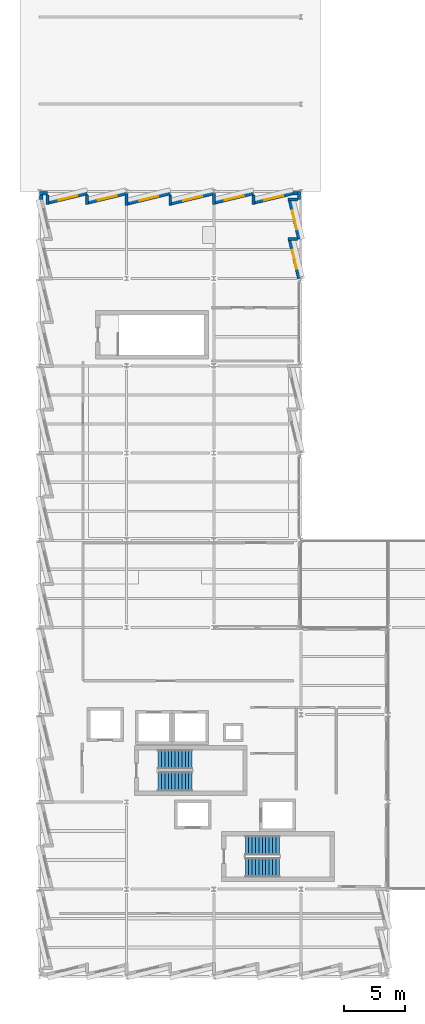
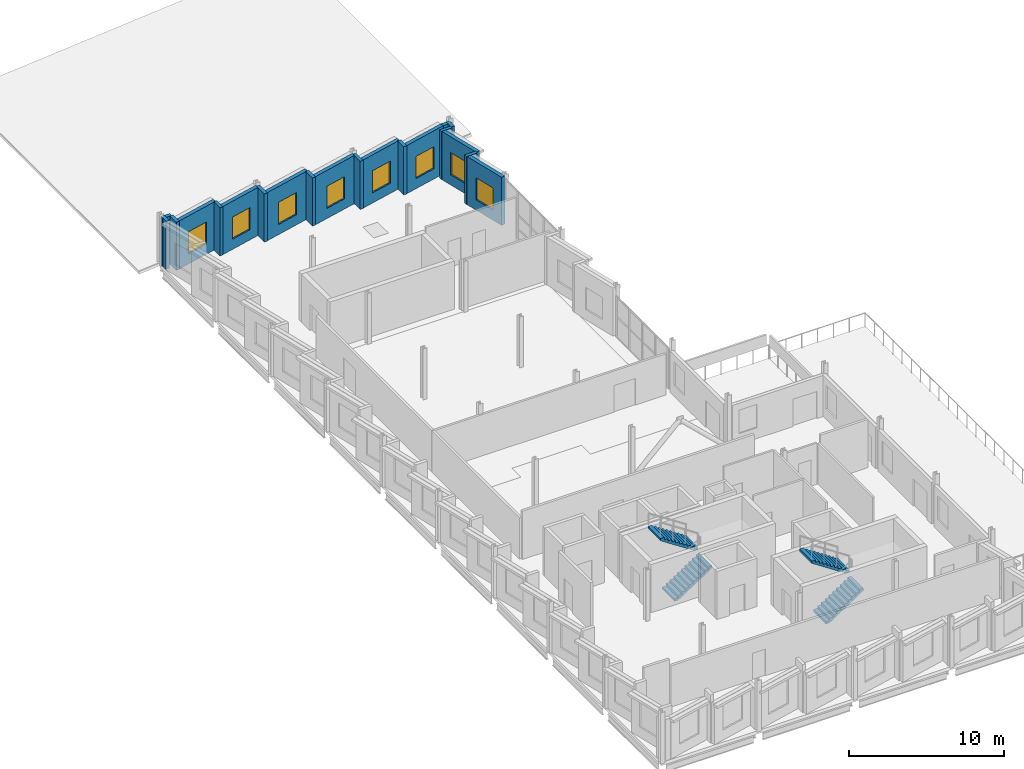
# One storey, part 16 of 18: 20 walls, 8 windows, 4 stair flights, 8 openings, 2 elements without a shape of their own.
"""IFC4 building model written with IfcOpenShell, lengths in metres."""

from ifc_helpers import new_model, si_unit, direction, frame, frame_2d, origin, place, context, subcontext, project, spatial, polyline, rectangle, outline, extrude, material, layer, layer_set, type_object, element, fill, aggregate, save


model = new_model("IFC4")

# Units and contexts
model_context = context("Model", 3, precision=1e-05, world=origin(), true_north=direction((0.0, 1.0)))
body_context = subcontext(model_context, "Body", "Model", "MODEL_VIEW")
ifc_project = project(units=[si_unit("LENGTHUNIT", "METRE"), si_unit("AREAUNIT", "SQUARE_METRE"), si_unit("VOLUMEUNIT", "CUBIC_METRE"), si_unit("PLANEANGLEUNIT", "RADIAN"), si_unit("MASSUNIT", "GRAM", prefix="KILO")], contexts=[model_context])

# Site, building, storey
site_placement = place(None, origin())
site = spatial("IfcSite", under=ifc_project, at=site_placement, CompositionType="ELEMENT")
building_placement = place(site_placement, origin())
building = spatial("IfcBuilding", under=site, at=building_placement, Name="Kalmorath City Hall", CompositionType="ELEMENT")
storey_placement = place(building_placement, frame((0.0, 0.0, 27.0)))
storey = spatial("IfcBuildingStorey", under=building, at=storey_placement, Name="L06", CompositionType="ELEMENT", Elevation=27.0)

# Walls
ifc_material_1 = material(Name="Precast concrete C40/50", Category="concrete")
ifc_layer_1 = layer(ifc_material_1, 0.239990234375)
ifc_layer_set_1 = layer_set([ifc_layer_1], Name="Precast concrete C40/50")
wall_type_1 = type_object("IfcWallType", Name="Precast sawtooth cheek wall 240", PredefinedType="SOLIDWALL", material=ifc_layer_set_1)
wall_1_placement = place(storey_placement, frame((20.51220703125, 60.860107421875, 0.0), z_axis=(0.0, 0.0, 1.0), x_axis=(1.0, 0.0, 0.0)))
element("IfcWall", 1, at=wall_1_placement, inside=storey, type_object=wall_type_1, Name="L06 sawtooth return cheek #993", PredefinedType="SOLIDWALL", context=body_context, shape_type="SweptSolid", body=[
    extrude(rectangle(XDim=0.7958984375, YDim=0.239990234375, at=frame_2d((0.39794921875, 0.0))), origin(), (0.0, 0.0, 1.0), 3.800048828125),
])
wall_2_placement = place(storey_placement, frame((20.51220703125, 64.1201171875, 0.0), z_axis=(0.0, 0.0, 1.0), x_axis=(1.0, 0.0, 0.0)))
element("IfcWall", 2, at=wall_2_placement, inside=storey, type_object=wall_type_1, Name="L06 sawtooth return cheek #995", PredefinedType="SOLIDWALL", context=body_context, shape_type="SweptSolid", body=[
    extrude(rectangle(XDim=0.805908203125, YDim=0.239990234375, at=frame_2d((0.40283203125, 0.0))), origin(), (0.0, 0.0, 1.0), 3.800048828125),
])
wall_3_placement = place(storey_placement, frame((17.659912109375, 63.71240234375, 0.0), z_axis=(0.0, 0.0, 1.0), x_axis=(0.0, 1.0, 0.0)))
element("IfcWall", 3, at=wall_3_placement, inside=storey, type_object=wall_type_1, Name="L06 sawtooth return cheek #998", PredefinedType="SOLIDWALL", context=body_context, shape_type="SweptSolid", body=[
    extrude(rectangle(XDim=0.795654296875, YDim=0.239990234375, at=frame_2d((0.39794921875, 0.0))), origin(), (0.0, 0.0, 1.0), 3.800048828125),
])
wall_4_placement = place(storey_placement, frame((14.39990234375, 63.71240234375, 0.0), z_axis=(0.0, 0.0, 1.0), x_axis=(0.0, 1.0, 0.0)))
element("IfcWall", 4, at=wall_4_placement, inside=storey, type_object=wall_type_1, Name="L06 sawtooth return cheek #1000", PredefinedType="SOLIDWALL", context=body_context, shape_type="SweptSolid", body=[
    extrude(rectangle(XDim=0.931640625, YDim=0.239990234375, at=frame_2d((0.4658203125, 0.0))), origin(), (0.0, 0.0, 1.0), 3.800048828125),
])
wall_5_placement = place(storey_placement, frame((10.800048828125, 63.630615234375, 0.0), z_axis=(0.0, 0.0, 1.0), x_axis=(0.0, 1.0, 0.0)))
element("IfcWall", 5, at=wall_5_placement, inside=storey, type_object=wall_type_1, Name="L06 sawtooth return cheek #1002", PredefinedType="SOLIDWALL", context=body_context, shape_type="SweptSolid", body=[
    extrude(rectangle(XDim=0.87744140625, YDim=0.239990234375, at=frame_2d((0.438720703125, 0.0))), origin(), (0.0, 0.0, 1.0), 3.800048828125),
])
wall_6_placement = place(storey_placement, frame((7.199951171875, 63.630615234375, 0.0), z_axis=(0.0, 0.0, 1.0), x_axis=(0.0, 1.0, 0.0)))
element("IfcWall", 6, at=wall_6_placement, inside=storey, type_object=wall_type_1, Name="L06 sawtooth return cheek #1004", PredefinedType="SOLIDWALL", context=body_context, shape_type="SweptSolid", body=[
    extrude(rectangle(XDim=1.013427734375, YDim=0.239990234375, at=frame_2d((0.5068359375, 0.0))), origin(), (0.0, 0.0, 1.0), 3.800048828125),
])
wall_7_placement = place(storey_placement, frame((3.93994140625, 63.71240234375, 0.0), z_axis=(0.0, 0.0, 1.0), x_axis=(0.0, 1.0, 0.0)))
element("IfcWall", 7, at=wall_7_placement, inside=storey, type_object=wall_type_1, Name="L06 sawtooth return cheek #1007", PredefinedType="SOLIDWALL", context=body_context, shape_type="SweptSolid", body=[
    extrude(rectangle(XDim=0.795654296875, YDim=0.239990234375, at=frame_2d((0.39794921875, 0.0))), origin(), (0.0, 0.0, 1.0), 3.800048828125),
])
wall_8_placement = place(storey_placement, frame((0.679931640625, 63.71240234375, 0.0), z_axis=(0.0, 0.0, 1.0), x_axis=(0.0, 1.0, 0.0)))
element("IfcWall", 8, at=wall_8_placement, inside=storey, type_object=wall_type_1, Name="L06 sawtooth return cheek #1009", PredefinedType="SOLIDWALL", context=body_context, shape_type="SweptSolid", body=[
    extrude(rectangle(XDim=0.8056640625, YDim=0.239990234375, at=frame_2d((0.40283203125, 0.0))), origin(), (0.0, 0.0, 1.0), 3.800048828125),
])

# Wall, opening, window
ifc_material_2 = material(Name="Precast concrete C40/50", Category="concrete")
ifc_layer_2 = layer(ifc_material_2, 0.280029296875)
ifc_layer_set_2 = layer_set([ifc_layer_2], Name="Precast concrete C40/50")
wall_type_2 = type_object("IfcWallType", Name="Precast sawtooth facade wall 280", PredefinedType="SOLIDWALL", material=ifc_layer_set_2)
wall_9_placement = place(storey_placement, frame((21.43994140625, 57.60009765625, 0.0), z_axis=(0.0, 0.0, 1.0), x_axis=(-0.233460824675, 0.972366208453, 0.0)))
wall_9 = element("IfcWall", 9, at=wall_9_placement, inside=storey, type_object=wall_type_2, Name="L06 sawtooth precast frame #992", PredefinedType="SOLIDWALL", context=body_context, shape_type="SweptSolid", body=[
    extrude(rectangle(XDim=3.257568359375, YDim=0.280029296875, at=frame_2d((1.62890625, 0.0))), origin(), (0.0, 0.0, 1.0), 3.800048828125),
])
opening_1_placement = place(wall_9_placement, frame((0.828857421875, 0.0, 0.800048828125)))
opening_1 = element("IfcOpeningElement", 10, at=opening_1_placement, cuts=wall_9, Name="Opening WN3", PredefinedType="OPENING", context=body_context, shape_type="SweptSolid", body=[
    extrude(rectangle(XDim=1.60009765625, YDim=1.75, at=frame_2d((0.800048828125, 0.875))), frame((0.0, 0.14990234375, 0.0), z_axis=(0.0, -1.0, 0.0), x_axis=(1.0, 0.0, 0.0)), (0.0, 0.0, 1.0), 0.300048828125),
])
ifc_material_3 = material(Name="Aluminium and laminated glass", Category="aluminium")
window_type = type_object("IfcWindowType", Name="Sawtooth upper window 1600x1750", PartitioningType="SINGLE_PANEL", PredefinedType="WINDOW", material=ifc_material_3)
window_1_placement = place(opening_1_placement, origin())
window_1 = element("IfcWindow", 11, at=window_1_placement, inside=storey, type_object=window_type, Name="L06 window WN3-510", OverallHeight=1.75, OverallWidth=1.60009765625, PartitioningType="SINGLE_PANEL", PredefinedType="WINDOW", context=body_context, shape_type="SweptSolid", body=[
    extrude(rectangle(XDim=1.60009765625, YDim=1.75, at=frame_2d((0.800048828125, 0.875))), frame((0.0, 0.030029296875, 0.0), z_axis=(0.0, -1.0, 0.0), x_axis=(1.0, 0.0, 0.0)), (0.0, 0.0, 1.0), 0.06005859375),
])
fill(opening_1, window_1)

wall_10_placement = place(storey_placement, frame((21.43994140625, 60.860107421875, 0.0), z_axis=(0.0, 0.0, 1.0), x_axis=(-0.233460824675, 0.972366208453, 0.0)))
wall_10 = element("IfcWall", 12, at=wall_10_placement, inside=storey, type_object=wall_type_2, Name="L06 sawtooth precast frame #994", PredefinedType="SOLIDWALL", context=body_context, shape_type="SweptSolid", body=[
    extrude(rectangle(XDim=3.257568359375, YDim=0.280029296875, at=frame_2d((1.62890625, 0.0))), origin(), (0.0, 0.0, 1.0), 3.800048828125),
])
opening_2_placement = place(wall_10_placement, frame((0.828857421875, 0.0, 0.800048828125)))
opening_2 = element("IfcOpeningElement", 13, at=opening_2_placement, cuts=wall_10, Name="Opening WN3", PredefinedType="OPENING", context=body_context, shape_type="SweptSolid", body=[
    extrude(rectangle(XDim=1.60009765625, YDim=1.75, at=frame_2d((0.800048828125, 0.875))), frame((0.0, 0.14990234375, 0.0), z_axis=(0.0, -1.0, 0.0), x_axis=(1.0, 0.0, 0.0)), (0.0, 0.0, 1.0), 0.300048828125),
])
window_2_placement = place(opening_2_placement, origin())
window_2 = element("IfcWindow", 14, at=window_2_placement, inside=storey, type_object=window_type, Name="L06 window WN3-511", OverallHeight=1.75, OverallWidth=1.60009765625, PartitioningType="SINGLE_PANEL", PredefinedType="WINDOW", context=body_context, shape_type="SweptSolid", body=[
    extrude(rectangle(XDim=1.60009765625, YDim=1.75, at=frame_2d((0.800048828125, 0.875))), frame((0.0, 0.030029296875, 0.0), z_axis=(0.0, -1.0, 0.0), x_axis=(1.0, 0.0, 0.0)), (0.0, 0.0, 1.0), 0.06005859375),
])
fill(opening_2, window_2)

wall_11_placement = place(storey_placement, frame((20.919921875, 64.639892578125, 0.0), z_axis=(0.0, 0.0, 1.0), x_axis=(-0.972366208453, -0.233460824675, 0.0)))
wall_11 = element("IfcWall", 15, at=wall_11_placement, inside=storey, type_object=wall_type_2, Name="L06 sawtooth precast frame #997", PredefinedType="SOLIDWALL", context=body_context, shape_type="SweptSolid", body=[
    extrude(rectangle(XDim=3.257568359375, YDim=0.280029296875, at=frame_2d((1.62890625, 0.0))), origin(), (0.0, 0.0, 1.0), 3.800048828125),
])
opening_3_placement = place(wall_11_placement, frame((0.828857421875, 0.0, 0.800048828125)))
opening_3 = element("IfcOpeningElement", 16, at=opening_3_placement, cuts=wall_11, Name="Opening WN3", PredefinedType="OPENING", context=body_context, shape_type="SweptSolid", body=[
    extrude(rectangle(XDim=1.60009765625, YDim=1.75, at=frame_2d((0.800048828125, 0.875))), frame((0.0, 0.14990234375, 0.0), z_axis=(0.0, -1.0, 0.0), x_axis=(1.0, 0.0, 0.0)), (0.0, 0.0, 1.0), 0.300048828125),
])
window_3_placement = place(opening_3_placement, origin())
window_3 = element("IfcWindow", 17, at=window_3_placement, inside=storey, type_object=window_type, Name="L06 window WN3-512", OverallHeight=1.75, OverallWidth=1.60009765625, PartitioningType="SINGLE_PANEL", PredefinedType="WINDOW", context=body_context, shape_type="SweptSolid", body=[
    extrude(rectangle(XDim=1.60009765625, YDim=1.75, at=frame_2d((0.800048828125, 0.875))), frame((0.0, 0.030029296875, 0.0), z_axis=(0.0, -1.0, 0.0), x_axis=(1.0, 0.0, 0.0)), (0.0, 0.0, 1.0), 0.06005859375),
])
fill(opening_3, window_3)

wall_12_placement = place(storey_placement, frame((17.659912109375, 64.639892578125, 0.0), z_axis=(0.0, 0.0, 1.0), x_axis=(-0.972366208453, -0.233460824675, 0.0)))
wall_12 = element("IfcWall", 18, at=wall_12_placement, inside=storey, type_object=wall_type_2, Name="L06 sawtooth precast frame #999", PredefinedType="SOLIDWALL", context=body_context, shape_type="SweptSolid", body=[
    extrude(rectangle(XDim=3.257568359375, YDim=0.280029296875, at=frame_2d((1.62890625, 0.0))), origin(), (0.0, 0.0, 1.0), 3.800048828125),
])
opening_4_placement = place(wall_12_placement, frame((0.828857421875, 0.0, 0.800048828125)))
opening_4 = element("IfcOpeningElement", 19, at=opening_4_placement, cuts=wall_12, Name="Opening WN3", PredefinedType="OPENING", context=body_context, shape_type="SweptSolid", body=[
    extrude(rectangle(XDim=1.60009765625, YDim=1.75, at=frame_2d((0.800048828125, 0.875))), frame((0.0, 0.14990234375, 0.0), z_axis=(0.0, -1.0, 0.0), x_axis=(1.0, 0.0, 0.0)), (0.0, 0.0, 1.0), 0.300048828125),
])
window_4_placement = place(opening_4_placement, origin())
window_4 = element("IfcWindow", 20, at=window_4_placement, inside=storey, type_object=window_type, Name="L06 window WN3-513", OverallHeight=1.75, OverallWidth=1.60009765625, PartitioningType="SINGLE_PANEL", PredefinedType="WINDOW", context=body_context, shape_type="SweptSolid", body=[
    extrude(rectangle(XDim=1.60009765625, YDim=1.75, at=frame_2d((0.800048828125, 0.875))), frame((0.0, 0.030029296875, 0.0), z_axis=(0.0, -1.0, 0.0), x_axis=(1.0, 0.0, 0.0)), (0.0, 0.0, 1.0), 0.06005859375),
])
fill(opening_4, window_4)

wall_13_placement = place(storey_placement, frame((14.39990234375, 64.639892578125, 0.0), z_axis=(0.0, 0.0, 1.0), x_axis=(-0.972373170122, -0.233431827365, 0.0)))
wall_13 = element("IfcWall", 21, at=wall_13_placement, inside=storey, type_object=wall_type_2, Name="L06 sawtooth precast frame #1001", PredefinedType="SOLIDWALL", context=body_context, shape_type="SweptSolid", body=[
    extrude(rectangle(XDim=3.607177734375, YDim=0.280029296875, at=frame_2d((1.8037109375, 0.0))), origin(), (0.0, 0.0, 1.0), 3.800048828125),
])
opening_5_placement = place(wall_13_placement, frame((1.003662109375, 0.0, 0.800048828125)))
opening_5 = element("IfcOpeningElement", 22, at=opening_5_placement, cuts=wall_13, Name="Opening WN3", PredefinedType="OPENING", context=body_context, shape_type="SweptSolid", body=[
    extrude(rectangle(XDim=1.60009765625, YDim=1.75, at=frame_2d((0.800048828125, 0.875))), frame((0.0, 0.14990234375, 0.0), z_axis=(0.0, -1.0, 0.0), x_axis=(1.0, 0.0, 0.0)), (0.0, 0.0, 1.0), 0.300048828125),
])
window_5_placement = place(opening_5_placement, origin())
window_5 = element("IfcWindow", 23, at=window_5_placement, inside=storey, type_object=window_type, Name="L06 window WN3-514", OverallHeight=1.75, OverallWidth=1.60009765625, PartitioningType="SINGLE_PANEL", PredefinedType="WINDOW", context=body_context, shape_type="SweptSolid", body=[
    extrude(rectangle(XDim=1.60009765625, YDim=1.75, at=frame_2d((0.800048828125, 0.875))), frame((0.0, 0.030029296875, 0.0), z_axis=(0.0, -1.0, 0.0), x_axis=(1.0, 0.0, 0.0)), (0.0, 0.0, 1.0), 0.06005859375),
])
fill(opening_5, window_5)

wall_14_placement = place(storey_placement, frame((10.800048828125, 64.639892578125, 0.0), z_axis=(0.0, 0.0, 1.0), x_axis=(-0.972373170122, -0.233431827365, 0.0)))
wall_14 = element("IfcWall", 24, at=wall_14_placement, inside=storey, type_object=wall_type_2, Name="L06 sawtooth precast frame #1003", PredefinedType="SOLIDWALL", context=body_context, shape_type="SweptSolid", body=[
    extrude(rectangle(XDim=3.607177734375, YDim=0.280029296875, at=frame_2d((1.8037109375, 0.0))), origin(), (0.0, 0.0, 1.0), 3.800048828125),
])
opening_6_placement = place(wall_14_placement, frame((1.003662109375, 0.0, 0.800048828125)))
opening_6 = element("IfcOpeningElement", 25, at=opening_6_placement, cuts=wall_14, Name="Opening WN3", PredefinedType="OPENING", context=body_context, shape_type="SweptSolid", body=[
    extrude(rectangle(XDim=1.60009765625, YDim=1.75, at=frame_2d((0.800048828125, 0.875))), frame((0.0, 0.14990234375, 0.0), z_axis=(0.0, -1.0, 0.0), x_axis=(1.0, 0.0, 0.0)), (0.0, 0.0, 1.0), 0.300048828125),
])
window_6_placement = place(opening_6_placement, origin())
window_6 = element("IfcWindow", 26, at=window_6_placement, inside=storey, type_object=window_type, Name="L06 window WN3-515", OverallHeight=1.75, OverallWidth=1.60009765625, PartitioningType="SINGLE_PANEL", PredefinedType="WINDOW", context=body_context, shape_type="SweptSolid", body=[
    extrude(rectangle(XDim=1.60009765625, YDim=1.75, at=frame_2d((0.800048828125, 0.875))), frame((0.0, 0.030029296875, 0.0), z_axis=(0.0, -1.0, 0.0), x_axis=(1.0, 0.0, 0.0)), (0.0, 0.0, 1.0), 0.06005859375),
])
fill(opening_6, window_6)

wall_15_placement = place(storey_placement, frame((7.199951171875, 64.639892578125, 0.0), z_axis=(0.0, 0.0, 1.0), x_axis=(-0.972366208453, -0.233460824675, 0.0)))
wall_15 = element("IfcWall", 27, at=wall_15_placement, inside=storey, type_object=wall_type_2, Name="L06 sawtooth precast frame #1006", PredefinedType="SOLIDWALL", context=body_context, shape_type="SweptSolid", body=[
    extrude(rectangle(XDim=3.257568359375, YDim=0.280029296875, at=frame_2d((1.62890625, 0.0))), origin(), (0.0, 0.0, 1.0), 3.800048828125),
])
opening_7_placement = place(wall_15_placement, frame((0.828857421875, 0.0, 0.800048828125)))
opening_7 = element("IfcOpeningElement", 28, at=opening_7_placement, cuts=wall_15, Name="Opening WN3", PredefinedType="OPENING", context=body_context, shape_type="SweptSolid", body=[
    extrude(rectangle(XDim=1.60009765625, YDim=1.75, at=frame_2d((0.800048828125, 0.875))), frame((0.0, 0.14990234375, 0.0), z_axis=(0.0, -1.0, 0.0), x_axis=(1.0, 0.0, 0.0)), (0.0, 0.0, 1.0), 0.300048828125),
])
window_7_placement = place(opening_7_placement, origin())
window_7 = element("IfcWindow", 29, at=window_7_placement, inside=storey, type_object=window_type, Name="L06 window WN3-516", OverallHeight=1.75, OverallWidth=1.60009765625, PartitioningType="SINGLE_PANEL", PredefinedType="WINDOW", context=body_context, shape_type="SweptSolid", body=[
    extrude(rectangle(XDim=1.60009765625, YDim=1.75, at=frame_2d((0.800048828125, 0.875))), frame((0.0, 0.030029296875, 0.0), z_axis=(0.0, -1.0, 0.0), x_axis=(1.0, 0.0, 0.0)), (0.0, 0.0, 1.0), 0.06005859375),
])
fill(opening_7, window_7)

wall_16_placement = place(storey_placement, frame((3.93994140625, 64.639892578125, 0.0), z_axis=(0.0, 0.0, 1.0), x_axis=(-0.972366208453, -0.233460824675, 0.0)))
wall_16 = element("IfcWall", 30, at=wall_16_placement, inside=storey, type_object=wall_type_2, Name="L06 sawtooth precast frame #1008", PredefinedType="SOLIDWALL", context=body_context, shape_type="SweptSolid", body=[
    extrude(rectangle(XDim=3.257568359375, YDim=0.280029296875, at=frame_2d((1.62890625, 0.0))), origin(), (0.0, 0.0, 1.0), 3.800048828125),
])
opening_8_placement = place(wall_16_placement, frame((0.828857421875, 0.0, 0.800048828125)))
opening_8 = element("IfcOpeningElement", 31, at=opening_8_placement, cuts=wall_16, Name="Opening WN3", PredefinedType="OPENING", context=body_context, shape_type="SweptSolid", body=[
    extrude(rectangle(XDim=1.60009765625, YDim=1.75, at=frame_2d((0.800048828125, 0.875))), frame((0.0, 0.14990234375, 0.0), z_axis=(0.0, -1.0, 0.0), x_axis=(1.0, 0.0, 0.0)), (0.0, 0.0, 1.0), 0.300048828125),
])
window_8_placement = place(opening_8_placement, origin())
window_8 = element("IfcWindow", 32, at=window_8_placement, inside=storey, type_object=window_type, Name="L06 window WN3-517", OverallHeight=1.75, OverallWidth=1.60009765625, PartitioningType="SINGLE_PANEL", PredefinedType="WINDOW", context=body_context, shape_type="SweptSolid", body=[
    extrude(rectangle(XDim=1.60009765625, YDim=1.75, at=frame_2d((0.800048828125, 0.875))), frame((0.0, 0.030029296875, 0.0), z_axis=(0.0, -1.0, 0.0), x_axis=(1.0, 0.0, 0.0)), (0.0, 0.0, 1.0), 0.06005859375),
])
fill(opening_8, window_8)

# Walls
ifc_material_4 = material(Name="Precast concrete C40/50", Category="concrete")
ifc_layer_3 = layer(ifc_material_4, 0.260009765625)
ifc_layer_set_3 = layer_set([ifc_layer_3], Name="Precast concrete C40/50")
wall_type_3 = type_object("IfcWallType", Name="Precast sawtooth return wall 260", PredefinedType="SOLIDWALL", material=ifc_layer_set_3)
wall_17_placement = place(storey_placement, frame((21.43994140625, 64.1201171875, 0.0), z_axis=(0.0, 0.0, 1.0), x_axis=(0.0, 1.0, 0.0)))
element("IfcWall", 33, at=wall_17_placement, inside=storey, type_object=wall_type_3, Name="L06 corner pier wall #991", PredefinedType="SOLIDWALL", context=body_context, shape_type="SweptSolid", body=[
    extrude(rectangle(XDim=0.679931640625, YDim=0.260009765625, at=frame_2d((0.33984375, 0.0))), origin(), (0.0, 0.0, 1.0), 3.800048828125),
])
wall_18_placement = place(storey_placement, frame((21.60009765625, 64.639892578125, 0.0), z_axis=(0.0, 0.0, 1.0), x_axis=(-1.0, 0.0, 0.0)))
element("IfcWall", 34, at=wall_18_placement, inside=storey, type_object=wall_type_3, Name="L06 corner pier wall #996", PredefinedType="SOLIDWALL", context=body_context, shape_type="SweptSolid", body=[
    extrude(rectangle(XDim=0.68017578125, YDim=0.260009765625, at=frame_2d((0.340087890625, 0.0))), origin(), (0.0, 0.0, 1.0), 3.800048828125),
])
for number, where, z_axis, x_axis, name in (
    (35, (0.679931640625, 64.639892578125, 0.0), (0.0, 0.0, 1.0), (-1.0, 0.0, 0.0), "L06 corner pier wall #1005"),
    (36, (0.159912109375, 64.800048828125, 0.0), (0.0, 0.0, 1.0), (0.0, -1.0, 0.0), "L06 corner pier wall #1010"),
):
    element("IfcWall", number, at=place(storey_placement, frame(where, z_axis=z_axis, x_axis=x_axis)), inside=storey, type_object=wall_type_3, Name=name, PredefinedType="SOLIDWALL", context=body_context, shape_type="SweptSolid", body=[
        extrude(rectangle(XDim=0.679931640625, YDim=0.260009765625, at=frame_2d((0.33984375, 0.0))), origin(), (0.0, 0.0, 1.0), 3.800048828125),
    ])

# Stair, stair flights
ifc_material_5 = material(Name="Concrete C40/50", Category="concrete")
stair_type = type_object("IfcStairType", Name="Dogleg concrete exit stair 22R x 184mm W1600", PredefinedType="HALF_TURN_STAIR", material=ifc_material_5)
stair_1_placement = place(storey_placement, origin())
stair_1 = element("IfcStair", 37, at=stair_1_placement, inside=storey, type_object=stair_type, Name="L06 Protected exit stair ST-1", PredefinedType="HALF_TURN_STAIR")
ifc_material_6 = material(Name="Concrete C40/50", Category="concrete")
stair_flight_type = type_object("IfcStairFlightType", Name="Concrete stair flight 184x280 W1600", PredefinedType="STRAIGHT", material=ifc_material_6)
stair_flight_1_placement = place(storey_placement, frame((9.800048828125, 16.10009765625, 0.0), z_axis=(0.0, 0.0, 1.0), x_axis=(1.0, 0.0, 0.0)))
stair_flight_1 = element("IfcStairFlight", 38, at=stair_flight_1_placement, type_object=stair_flight_type, Name="ST-1 flight 1", NumberOfRisers=11, NumberOfTreads=10, PredefinedType="STRAIGHT", RiserHeight=0.184090909, TreadLength=0.28, context=body_context, shape_type="SweptSolid", body=[
    extrude(outline(polyline([(0.0, 0.0), (0.0, 0.18408203125), (0.280029296875, 0.18408203125), (0.280029296875, 0.3681640625), (0.56005859375, 0.3681640625), (0.56005859375, 0.55224609375), (0.840087890625, 0.55224609375), (0.840087890625, 0.736328125), (1.1201171875, 0.736328125), (1.1201171875, 0.92041015625), (1.39990234375, 0.92041015625), (1.39990234375, 1.1044921875), (1.679931640625, 1.1044921875), (1.679931640625, 1.28857421875), (1.9599609375, 1.28857421875), (1.9599609375, 1.47265625), (2.239990234375, 1.47265625), (2.239990234375, 1.65673828125), (2.52001953125, 1.65673828125), (2.52001953125, 1.8408203125), (2.800048828125, 1.8408203125), (2.800048828125, 2.02490234375), (2.800048828125, 1.66162109375), (0.27294921875, 0.0), (0.0, 0.0)])), frame((0.0, 0.800048828125, 0.0), z_axis=(0.0, -1.0, 0.0), x_axis=(1.0, 0.0, 0.0)), (0.0, 0.0, 1.0), 1.60009765625),
])
stair_flight_2_placement = place(storey_placement, frame((12.60009765625, 17.89990234375, 2.02490234375), z_axis=(0.0, 0.0, 1.0), x_axis=(-1.0, 0.0, 0.0)))
stair_flight_2 = element("IfcStairFlight", 39, at=stair_flight_2_placement, type_object=stair_flight_type, Name="ST-1 flight 2", NumberOfRisers=11, NumberOfTreads=10, PredefinedType="STRAIGHT", RiserHeight=0.184090909, TreadLength=0.28, context=body_context, shape_type="SweptSolid", body=[
    extrude(outline(polyline([(0.0, 0.0), (0.0, 0.18408203125), (0.280029296875, 0.18408203125), (0.280029296875, 0.3681640625), (0.56005859375, 0.3681640625), (0.56005859375, 0.55224609375), (0.840087890625, 0.55224609375), (0.840087890625, 0.736328125), (1.1201171875, 0.736328125), (1.1201171875, 0.92041015625), (1.39990234375, 0.92041015625), (1.39990234375, 1.1044921875), (1.679931640625, 1.1044921875), (1.679931640625, 1.28857421875), (1.9599609375, 1.28857421875), (1.9599609375, 1.47265625), (2.239990234375, 1.47265625), (2.239990234375, 1.65673828125), (2.52001953125, 1.65673828125), (2.52001953125, 1.8408203125), (2.800048828125, 1.8408203125), (2.800048828125, 2.02490234375), (2.800048828125, 1.66162109375), (0.27294921875, 0.0), (0.0, 0.0)])), frame((0.0, 0.800048828125, 0.0), z_axis=(0.0, -1.0, 0.0), x_axis=(1.0, 0.0, 0.0)), (0.0, 0.0, 1.0), 1.60009765625),
])
aggregate(stair_1, [stair_flight_1, stair_flight_2])

stair_2_placement = place(storey_placement, origin())
stair_2 = element("IfcStair", 40, at=stair_2_placement, inside=storey, type_object=stair_type, Name="L06 Protected exit stair ST-2", PredefinedType="HALF_TURN_STAIR")
stair_flight_3_placement = place(storey_placement, frame((17.0, 9.0, 0.0), z_axis=(0.0, 0.0, 1.0), x_axis=(1.0, 0.0, 0.0)))
stair_flight_3 = element("IfcStairFlight", 41, at=stair_flight_3_placement, type_object=stair_flight_type, Name="ST-2 flight 1", NumberOfRisers=11, NumberOfTreads=10, PredefinedType="STRAIGHT", RiserHeight=0.184090909, TreadLength=0.28, context=body_context, shape_type="SweptSolid", body=[
    extrude(outline(polyline([(0.0, 0.0), (0.0, 0.18408203125), (0.280029296875, 0.18408203125), (0.280029296875, 0.3681640625), (0.56005859375, 0.3681640625), (0.56005859375, 0.55224609375), (0.840087890625, 0.55224609375), (0.840087890625, 0.736328125), (1.1201171875, 0.736328125), (1.1201171875, 0.92041015625), (1.39990234375, 0.92041015625), (1.39990234375, 1.1044921875), (1.679931640625, 1.1044921875), (1.679931640625, 1.28857421875), (1.9599609375, 1.28857421875), (1.9599609375, 1.47265625), (2.239990234375, 1.47265625), (2.239990234375, 1.65673828125), (2.52001953125, 1.65673828125), (2.52001953125, 1.8408203125), (2.800048828125, 1.8408203125), (2.800048828125, 2.02490234375), (2.800048828125, 1.66162109375), (0.27294921875, 0.0), (0.0, 0.0)])), frame((0.0, 0.800048828125, 0.0), z_axis=(0.0, -1.0, 0.0), x_axis=(1.0, 0.0, 0.0)), (0.0, 0.0, 1.0), 1.60009765625),
])
stair_flight_4_placement = place(storey_placement, frame((19.800048828125, 10.800048828125, 2.02490234375), z_axis=(0.0, 0.0, 1.0), x_axis=(-1.0, 0.0, 0.0)))
stair_flight_4 = element("IfcStairFlight", 42, at=stair_flight_4_placement, type_object=stair_flight_type, Name="ST-2 flight 2", NumberOfRisers=11, NumberOfTreads=10, PredefinedType="STRAIGHT", RiserHeight=0.184090909, TreadLength=0.28, context=body_context, shape_type="SweptSolid", body=[
    extrude(outline(polyline([(0.0, 0.0), (0.0, 0.18408203125), (0.280029296875, 0.18408203125), (0.280029296875, 0.3681640625), (0.56005859375, 0.3681640625), (0.56005859375, 0.55224609375), (0.840087890625, 0.55224609375), (0.840087890625, 0.736328125), (1.1201171875, 0.736328125), (1.1201171875, 0.92041015625), (1.39990234375, 0.92041015625), (1.39990234375, 1.1044921875), (1.679931640625, 1.1044921875), (1.679931640625, 1.28857421875), (1.9599609375, 1.28857421875), (1.9599609375, 1.47265625), (2.239990234375, 1.47265625), (2.239990234375, 1.65673828125), (2.52001953125, 1.65673828125), (2.52001953125, 1.8408203125), (2.800048828125, 1.8408203125), (2.800048828125, 2.02490234375), (2.800048828125, 1.66162109375), (0.27294921875, 0.0), (0.0, 0.0)])), frame((0.0, 0.800048828125, 0.0), z_axis=(0.0, -1.0, 0.0), x_axis=(1.0, 0.0, 0.0)), (0.0, 0.0, 1.0), 1.60009765625),
])
aggregate(stair_2, [stair_flight_3, stair_flight_4])

save(model, "model.ifc")
